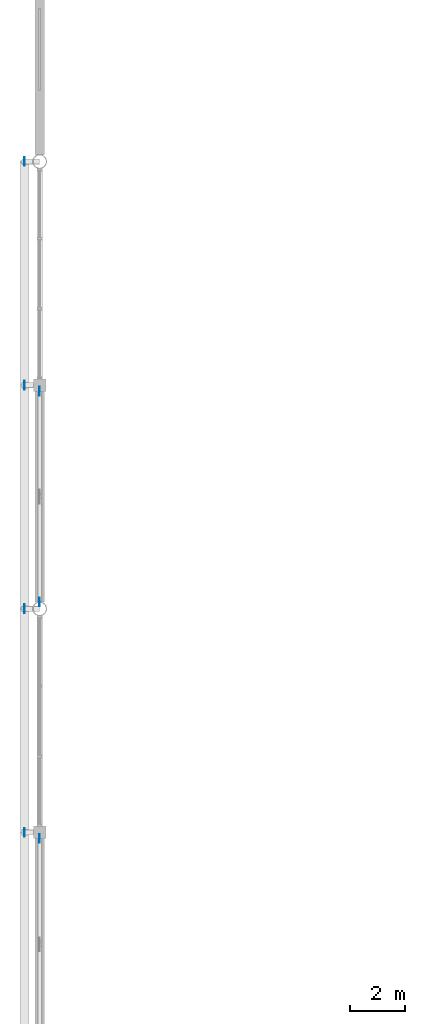
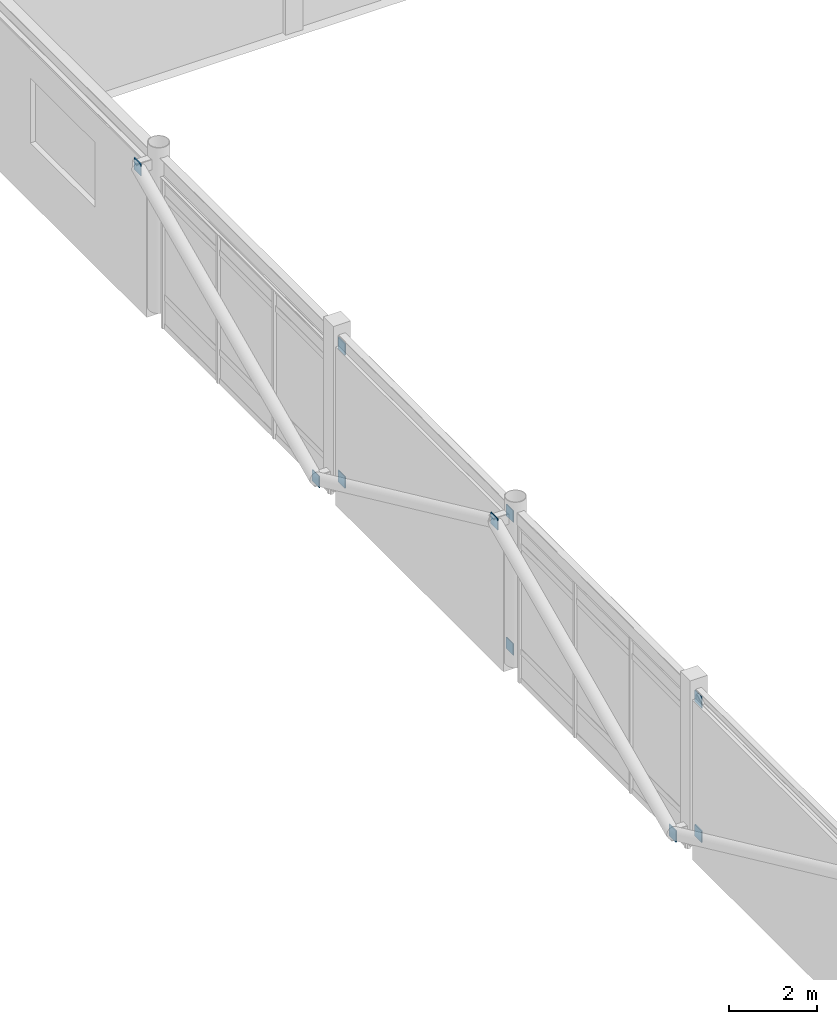
# One storey, part 80 of 93: 10 discrete accessories.
"""IFC4 building model written with IfcOpenShell, lengths in metres."""

import ifcopenshell
import ifcopenshell.guid

model = None  # the IFC model being written
_history = None  # IfcOwnerHistory: only IFC2X3 demands one
_inside = {}  # id of a spatial element -> (the spatial element, [elements in it])
_under = {}  # id of a project, library or spatial element -> (it, [spatial elements below it])
_declared = {}  # id of a project -> (the project, [libraries it declares])
_typed = {}  # id of a type object -> (the type object, [elements of that type])
_made_of = {}  # id of a material, layer set ... -> (it, [elements and type objects made of it])


def new_model(schema):
    """Start an empty IFC model of exactly this schema.

    Asked for "IFC4X3", IfcOpenShell would pick the latest addendum, in which some entities
    have other attributes; the version numbers below select the first issue.
    IFC2X3 requires an IfcOwnerHistory on every rooted entity: one is made here for all.
    """
    global model, _history
    if schema == "IFC4X3":
        model = ifcopenshell.file(schema_version=(4, 3, 0, 0))
    else:
        model = ifcopenshell.file(schema=schema)
    _inside.clear()
    _under.clear()
    _declared.clear()
    _typed.clear()
    _made_of.clear()
    _history = None
    if model.schema == "IFC2X3":
        org = make("IfcOrganization", Name="unknown")
        user = make(
            "IfcPersonAndOrganization",
            ThePerson=make("IfcPerson", FamilyName="unknown"),
            TheOrganization=org,
        )
        app = make(
            "IfcApplication",
            ApplicationDeveloper=org,
            Version="unknown",
            ApplicationFullName="unknown",
            ApplicationIdentifier="unknown",
        )
        _history = make(
            "IfcOwnerHistory",
            OwningUser=user,
            OwningApplication=app,
            ChangeAction="ADDED",
            CreationDate=0,
        )
    return model


def make(cls, **values):
    """One entity of the class cls with the attributes given. An attribute that is None is left unset."""
    return model.create_entity(
        cls, **{name: value for name, value in values.items() if value is not None}
    )


def rooted(cls, **values):
    """An entity with a GlobalId (a new one), such as an element, a storey or a relation."""
    return make(cls, GlobalId=ifcopenshell.guid.new(), OwnerHistory=_history, **values)


def si_unit(unit_type, name, prefix=None):
    """IfcSIUnit, for example si_unit("LENGTHUNIT", "METRE", prefix="MILLI")."""
    return make("IfcSIUnit", UnitType=unit_type, Prefix=prefix, Name=name)


def assignment(units):
    """IfcUnitAssignment: the units of a project."""
    return None if units is None else make("IfcUnitAssignment", Units=units)


def point(xyz):
    """IfcCartesianPoint."""
    return None if xyz is None else make("IfcCartesianPoint", Coordinates=xyz)


def direction(xyz):
    """IfcDirection."""
    return None if xyz is None else make("IfcDirection", DirectionRatios=xyz)


def frame(location, z_axis=None, x_axis=None):
    """IfcAxis2Placement3D, a coordinate frame: its origin and axes. An axis left out is left unset."""
    return make(
        "IfcAxis2Placement3D",
        Location=point(location),
        Axis=direction(z_axis),
        RefDirection=direction(x_axis),
    )


def frame_2d(location, x_axis=None):
    """IfcAxis2Placement2D, a coordinate frame in the plane: its origin and x axis."""
    return make(
        "IfcAxis2Placement2D", Location=point(location), RefDirection=direction(x_axis)
    )


def origin():
    """The frame at (0, 0, 0) with its axes left unset."""
    return frame((0.0, 0.0, 0.0))


def origin_2d():
    """The frame at (0, 0) in the plane with its x axis left unset."""
    return frame_2d((0.0, 0.0))


def place(relative_to, where):
    """IfcLocalPlacement: puts the frame where relative to a parent placement (None: the world)."""
    return make(
        "IfcLocalPlacement", PlacementRelTo=relative_to, RelativePlacement=where
    )


def context(
    kind, dimensions, precision=None, world=None, true_north=None, identifier=None
):
    """IfcGeometricRepresentationContext, for example the 3D "Model" context."""
    return make(
        "IfcGeometricRepresentationContext",
        ContextIdentifier=identifier,
        ContextType=kind,
        CoordinateSpaceDimension=dimensions,
        Precision=precision,
        WorldCoordinateSystem=world,
        TrueNorth=true_north,
    )


def subcontext(parent, identifier, kind, view, scale=None):
    """IfcGeometricRepresentationSubContext, for example "Body" below "Model"."""
    return make(
        "IfcGeometricRepresentationSubContext",
        ContextIdentifier=identifier,
        ContextType=kind,
        ParentContext=parent,
        TargetScale=scale,
        TargetView=view,
    )


def project(units=None, contexts=None):
    """IfcProject with its units and contexts."""
    return rooted(
        "IfcProject",
        Name="project",
        RepresentationContexts=contexts,
        UnitsInContext=assignment(units),
    )


def spatial(cls, under=None, at=None, **own):
    """A site, building, storey or space (cls), placed at a placement, below another one or the project."""
    s = rooted(cls, ObjectPlacement=at, **own)
    if under is not None:
        _under.setdefault(under.id(), (under, []))[1].append(s)
    return s


def profile(cls, at=None, kind="AREA", **sizes):
    """A parametric profile (cls). Its sizes go by their IFC names, for example OverallWidth=200.0."""
    return make(cls, ProfileType=kind, Position=at, **sizes)


def rectangle(**sizes):
    """IfcRectangleProfileDef."""
    return profile("IfcRectangleProfileDef", **sizes)


def extrude(swept, where, along, depth):
    """IfcExtrudedAreaSolid: the profile swept, set in the frame where, extruded along a direction by depth."""
    return make(
        "IfcExtrudedAreaSolid",
        SweptArea=swept,
        Position=where,
        ExtrudedDirection=direction(along),
        Depth=depth,
    )


def shape(context_of_items, identifier, shape_type, items):
    """IfcShapeRepresentation: the items that make up one representation, for example the "Body"."""
    return make(
        "IfcShapeRepresentation",
        ContextOfItems=context_of_items,
        RepresentationIdentifier=identifier,
        RepresentationType=shape_type,
        Items=items,
    )


def material(Name=None, Category=None):
    """IfcMaterial."""
    return make("IfcMaterial", Name=Name, Category=Category)


def made_of(thing, what):
    """Note that an element or type object is made of a material, layer set ...; save() writes the relation."""
    if what is not None:
        _made_of.setdefault(what.id(), (what, []))[1].append(thing)
    return thing


def type_object(cls, material=None, **own):
    """A type object (cls), such as IfcWallType, which elements share."""
    return made_of(rooted(cls, **own), material)


def element(
    cls,
    number,
    at=None,
    inside=None,
    cuts=None,
    type_object=None,
    material=None,
    context=None,
    identifier="Body",
    shape_type=None,
    held_by="IfcProductDefinitionShape",
    body=None,
    shapes=None,
    **own,
):
    """One element of the class cls, such as IfcWall. Its Tag is "e" and its number.

    at: its placement. inside: the storey or other place that contains it. cuts: it is an
    opening in that element (IfcRelVoidsElement). A single representation is given by context,
    identifier, shape_type and body (its items); several are given by shapes. held_by: the class
    of the entity that holds the representations. save() writes the other relations.
    """
    e = rooted(cls, Tag="e%d" % number, ObjectPlacement=at, **own)
    if body is not None:
        shapes = [shape(context, identifier, shape_type, body)]
    if shapes is not None:
        e.Representation = make(held_by, Representations=shapes)
    if inside is not None:
        _inside.setdefault(inside.id(), (inside, []))[1].append(e)
    if cuts is not None:
        rooted(
            "IfcRelVoidsElement", RelatingBuildingElement=cuts, RelatedOpeningElement=e
        )
    if type_object is not None:
        _typed.setdefault(type_object.id(), (type_object, []))[1].append(e)
    return made_of(e, material)


def aggregate(whole, parts):
    """IfcRelAggregates: a whole, such as a stair, and the parts it consists of."""
    return rooted("IfcRelAggregates", RelatingObject=whole, RelatedObjects=parts)


def save(model, path):
    """Write the relations noted so far, then the file.

    IfcRelAggregates (storeys below a building ...), IfcRelContainedInSpatialStructure (elements
    in a storey), IfcRelDefinesByType, IfcRelAssociatesMaterial and IfcRelDeclares: one each for
    every whole, place, type object, material and project.
    """
    for whole, parts in _under.values():
        aggregate(whole, parts)
    for where, things in _inside.values():
        rooted(
            "IfcRelContainedInSpatialStructure",
            RelatedElements=things,
            RelatingStructure=where,
        )
    for kind, things in _typed.values():
        rooted("IfcRelDefinesByType", RelatedObjects=things, RelatingType=kind)
    for what, things in _made_of.values():
        rooted("IfcRelAssociatesMaterial", RelatedObjects=things, RelatingMaterial=what)
    for by, libraries in _declared.values():
        rooted("IfcRelDeclares", RelatingContext=by, RelatedDefinitions=libraries)
    model.write(path)


model = new_model("IFC4")

# Units and contexts
model_context = context("Model", 3, precision=1e-05, world=origin(), true_north=direction((0.0, 1.0)))
body_context = subcontext(model_context, "Body", "Model", "MODEL_VIEW")
ifc_project = project(units=[si_unit("LENGTHUNIT", "METRE"), si_unit("AREAUNIT", "SQUARE_METRE"), si_unit("VOLUMEUNIT", "CUBIC_METRE"), si_unit("PLANEANGLEUNIT", "RADIAN"), si_unit("MASSUNIT", "GRAM", prefix="KILO")], contexts=[model_context])

# Site, building, storey
site_placement = place(None, origin())
site = spatial("IfcSite", under=ifc_project, at=site_placement, CompositionType="ELEMENT")
building_placement = place(site_placement, origin())
building = spatial("IfcBuilding", under=site, at=building_placement, Name="Vaudrelin Polytechnic", CompositionType="ELEMENT")
storey_placement = place(building_placement, frame((0.0, 0.0, 5.10009765625)))
storey = spatial("IfcBuildingStorey", under=building, at=storey_placement, Name="L01", CompositionType="ELEMENT", Elevation=5.10009765625)

# Discrete accessories
ifc_material = material(Name="Steel CSA G40.21 350WT", Category="steel")
discrete_accessory_type = type_object("IfcDiscreteAccessoryType", Name="ACC-CPL-01", PredefinedType="BRACKET", material=ifc_material)
for number, where, z_axis, x_axis, name in (
    (1, (0.0, 56.48291015625, 0.11962890625), (0.0, 0.0, 1.0), (1.0, 0.0, 0.0), "Brace end connection plate CPL-026"),
    (2, (0.0, 56.48291015625, 3.84375), (0.0, 0.0, 1.0), (1.0, 0.0, 0.0), "Brace end connection plate CPL-028"),
    (3, (0.0, 65.0458984375, 0.11962890625), (0.0, 0.0, 1.0), (1.0, 0.0, 0.0), "Brace end connection plate CPL-029"),
    (4, (0.0, 72.68310546875, 0.11962890625), (0.0, 0.0, 1.0), (1.0, 0.0, 0.0), "Brace end connection plate CPL-030"),
    (5, (0.0, 65.0458984375, 3.8046875), (0.0, 0.0, 1.0), (1.0, 0.0, 0.0), "Brace end connection plate CPL-031"),
    (6, (0.0, 72.68310546875, 3.8046875), (0.0, 0.0, 1.0), (1.0, 0.0, 0.0), "Brace end connection plate CPL-032"),
    (7, (-0.550048828125, 56.699951171875, 0.18994140625), (0.0, 0.0, 1.0), (1.0, 0.0, 0.0), "Brace end connection plate CPL-034"),
    (8, (-0.550048828125, 64.800048828125, 3.9296875), (0.0, 0.0, 1.0), (1.0, 0.0, 0.0), "Brace end connection plate CPL-035"),
    (9, (-0.550048828125, 72.89990234375, 0.18994140625), (0.0, 0.0, 1.0), (1.0, 0.0, 0.0), "Brace end connection plate CPL-036"),
    (10, (-0.550048828125, 81.0, 3.9296875), (0.0, 0.0, 1.0), (1.0, 0.0, 0.0), "Brace end connection plate CPL-037"),
):
    element("IfcDiscreteAccessory", number, at=place(storey_placement, frame(where, z_axis=z_axis, x_axis=x_axis)), inside=storey, type_object=discrete_accessory_type, Name=name, PredefinedType="BRACKET", context=body_context, shape_type="SweptSolid", body=[
        extrude(rectangle(XDim=0.02392578125, YDim=0.320068359375, at=origin_2d()), origin(), (0.0, 0.0, 1.0), 0.320068359375),
    ])

save(model, "model.ifc")
